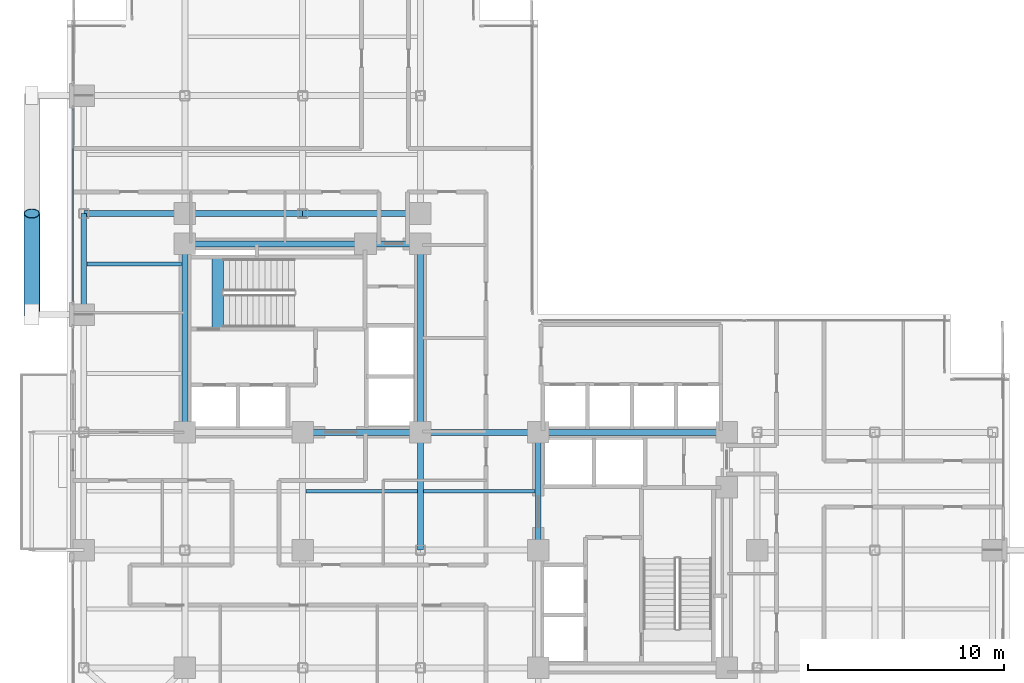
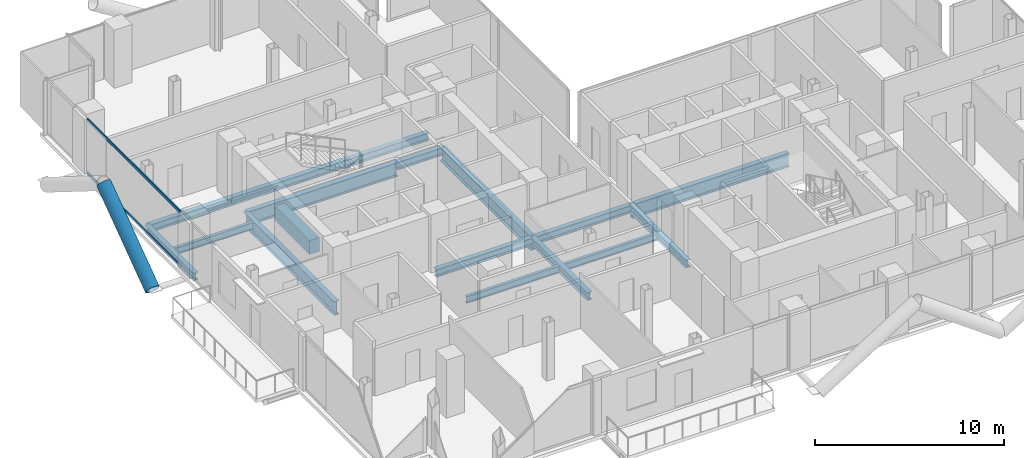
# One storey, part 7 of 24: 17 beams, 3 members, 1 element without a shape of its own.
"""IFC4 building model written with IfcOpenShell, lengths in metres."""

from ifc_helpers import new_model, si_unit, direction, frame, origin, origin_2d, place, context, subcontext, project, spatial, rectangle, hollow_rectangle, hollow_circle, i_section, extrude, material, layer, layer_set, material_profile, profile_set, type_object, element, aggregate, save


model = new_model("IFC4")

# Units and contexts
model_context = context("Model", 3, precision=1e-05, world=origin(), true_north=direction((0.0, 1.0)))
body_context = subcontext(model_context, "Body", "Model", "MODEL_VIEW")
ifc_project = project(units=[si_unit("LENGTHUNIT", "METRE"), si_unit("AREAUNIT", "SQUARE_METRE"), si_unit("VOLUMEUNIT", "CUBIC_METRE"), si_unit("PLANEANGLEUNIT", "RADIAN"), si_unit("MASSUNIT", "GRAM", prefix="KILO"), si_unit("THERMODYNAMICTEMPERATUREUNIT", "KELVIN"), si_unit("POWERUNIT", "WATT")], contexts=[model_context])

# Site, building, storey
site_placement = place(None, origin())
site = spatial("IfcSite", under=ifc_project, at=site_placement, CompositionType="ELEMENT")
building_placement = place(site_placement, origin())
building = spatial("IfcBuilding", under=site, at=building_placement, Name="Svarakhadi Broadcast Tower", CompositionType="ELEMENT")
storey_placement = place(building_placement, frame((0.0, 0.0, 145.64990234375)))
storey = spatial("IfcBuildingStorey", under=building, at=storey_placement, Name="L35", CompositionType="ELEMENT", Elevation=145.64990234375)

# Beams
ifc_material_1 = material(Name="Steel S355J2 (IS 2062 E350C)", Category="steel")
ifc_material_profile_1 = material_profile(ifc_material_1, i_section(OverallWidth=0.18994140625, OverallDepth=0.449951171875, WebThickness=0.009521484375, FlangeThickness=0.0146484375, FilletRadius=0.02099609375, at=origin_2d()), Name="NPB 450x190x78")
ifc_profile_set_1 = profile_set([ifc_material_profile_1], Name="Steel S355J2 (IS 2062 E350C)")
beam_type_1 = type_object("IfcBeamType", Name="Beam_NPB450", PredefinedType="BEAM", material=ifc_profile_set_1)
beam_1_placement = place(storey_placement, frame((1.010009765625, 26.574951171875, -0.449951171875), z_axis=(1.0, 0.0, 0.0), x_axis=(0.0, 1.0, 0.0)))
element("IfcBeam", 1, at=beam_1_placement, inside=storey, type_object=beam_type_1, Name="L35 Secondary Composite Beam SB004", PredefinedType="BEAM", context=body_context, shape_type="SweptSolid", body=[
    extrude(i_section(OverallWidth=0.18994140625, OverallDepth=0.449951171875, WebThickness=0.009521484375, FlangeThickness=0.0146484375, FilletRadius=0.02099609375, at=origin_2d()), origin(), (0.0, 0.0, 1.0), 4.830078125),
])
for number, where, z_axis, x_axis, name in (
    (2, (12.159912109375, 15.0, -0.449951171875), (1.0, 0.0, 0.0), (0.0, 1.0, 0.0), "L35 Secondary Composite Beam SB013"),
    (3, (18.159912109375, 15.0, -0.449951171875), (1.0, 0.0, 0.0), (0.0, 1.0, 0.0), "L35 Secondary Composite Beam SB018"),
):
    element("IfcBeam", number, at=place(storey_placement, frame(where, z_axis=z_axis, x_axis=x_axis)), inside=storey, type_object=beam_type_1, Name=name, PredefinedType="BEAM", context=body_context, shape_type="SweptSolid", body=[
        extrude(i_section(OverallWidth=0.18994140625, OverallDepth=0.449951171875, WebThickness=0.009521484375, FlangeThickness=0.0146484375, FilletRadius=0.02099609375, at=origin_2d()), origin(), (0.0, 0.0, 1.0), 5.68017578125),
    ])

# Curtain wall, members
ifc_material_2 = material(Name="Anodised Bronze Aluminium AA 6063-T6", Category="aluminium")
ifc_layer = layer(ifc_material_2, 0.199951171875)
ifc_layer_set = layer_set([ifc_layer], Name="Anodised Bronze Aluminium AA 6063-T6")
curtain_wall_type = type_object("IfcCurtainWallType", Name="CW_Sys_03", PredefinedType="NOTDEFINED", material=ifc_layer_set)
curtain_wall_placement = place(storey_placement, origin())
curtain_wall = element("IfcCurtainWall", 4, at=curtain_wall_placement, inside=storey, type_object=curtain_wall_type, Name="L35 West Curtain Wall 03 Bay 2", PredefinedType="NOTDEFINED")
ifc_material_profile_2 = material_profile(ifc_material_2, hollow_rectangle(XDim=0.070068359375, YDim=0.18505859375, WallThickness=0.0048828125, at=origin_2d()), Name="ALU TRANSOM 185x70x5")
ifc_profile_set_2 = profile_set([ifc_material_profile_2], Name="Anodised Bronze Aluminium AA 6063-T6")
member_type_1 = type_object("IfcMemberType", Name="CW_Sys_03_Trn", PredefinedType="USERDEFINED", material=ifc_profile_set_2)
member_1_placement = place(storey_placement, frame((0.300048828125, 24.64501953125, 0.03515625), z_axis=(0.0, 1.0, 0.0), x_axis=(-1.0, 0.0, 0.0)))
member_1 = element("IfcMember", 5, at=member_1_placement, type_object=member_type_1, Name="CW-03 transom 1.1", ObjectType="TRANSOM", PredefinedType="USERDEFINED", context=body_context, shape_type="SweptSolid", body=[
    extrude(hollow_rectangle(XDim=0.070068359375, YDim=0.18505859375, WallThickness=0.0048828125, at=origin_2d()), origin(), (0.0, 0.0, 1.0), 9.85986328125),
])
member_2_placement = place(storey_placement, frame((0.300048828125, 24.64501953125, 3.489990234375), z_axis=(0.0, 1.0, 0.0), x_axis=(-1.0, 0.0, 0.0)))
member_2 = element("IfcMember", 6, at=member_2_placement, type_object=member_type_1, Name="CW-03 transom 1.2", ObjectType="TRANSOM", PredefinedType="USERDEFINED", context=body_context, shape_type="SweptSolid", body=[
    extrude(hollow_rectangle(XDim=0.070068359375, YDim=0.18505859375, WallThickness=0.0048828125, at=origin_2d()), origin(), (0.0, 0.0, 1.0), 9.85986328125),
])
aggregate(curtain_wall, [member_1, member_2])

# Beam
ifc_material_3 = material(Name="Concrete C50/60 (IS 456 M60)", Category="concrete")
ifc_material_profile_3 = material_profile(ifc_material_3, rectangle(XDim=0.60009765625, YDim=0.89990234375, at=origin_2d()), Name="RC 600x900")
ifc_profile_set_3 = profile_set([ifc_material_profile_3], Name="Concrete C50/60 (IS 456 M60)")
beam_type_2 = type_object("IfcBeamType", Name="Coupling_RC600", PredefinedType="USERDEFINED", material=ifc_profile_set_3)
beam_2_placement = place(storey_placement, frame((7.679931640625, 23.260009765625, -0.449951171875), z_axis=(0.0, 1.0, 0.0), x_axis=(-1.0, 0.0, 0.0)))
element("IfcBeam", 7, at=beam_2_placement, inside=storey, type_object=beam_type_2, Name="L35 Stair ST-01 Landing Throat Trimmer Beam CB-01", ObjectType="GIRDER", PredefinedType="USERDEFINED", context=body_context, shape_type="SweptSolid", body=[
    extrude(rectangle(XDim=0.60009765625, YDim=0.89990234375, at=origin_2d()), origin(), (0.0, 0.0, 1.0), 3.679931640625),
])

# Member
ifc_material_4 = material(Name="Steel S460ML (IS 2062 E450BR)", Category="steel")
ifc_material_profile_4 = material_profile(ifc_material_4, hollow_circle(Radius=0.406494140625, WallThickness=0.0400390625, at=origin_2d()), Name="CHS 813x40")
ifc_profile_set_4 = profile_set([ifc_material_profile_4], Name="Steel S460ML (IS 2062 E450BR)")
member_type_2 = type_object("IfcMemberType", Name="Exo_Brace_CHS813", PredefinedType="BRACE", material=ifc_profile_set_4)
member_3_placement = place(storey_placement, frame((-1.800048828125, 24.0, -0.386962890625), z_axis=(0.0, 0.808391243061, 0.588645562407), x_axis=(-1.0, 0.0, 0.0)))
element("IfcMember", 8, at=member_3_placement, inside=storey, type_object=member_type_2, Name="L35 Exposed Bronze Exoskeleton Diagonal W04", PredefinedType="BRACE", context=body_context, shape_type="SweptSolid", body=[
    extrude(hollow_circle(Radius=0.406494140625, WallThickness=0.0400390625, at=origin_2d()), origin(), (0.0, 0.0, 1.0), 6.37060546875),
])

# Beams
ifc_material_profile_5 = material_profile(ifc_material_1, i_section(OverallWidth=0.300048828125, OverallDepth=0.5, WebThickness=0.014404296875, FlangeThickness=0.028076171875, FilletRadius=0.027099609375, at=origin_2d()), Name="WPB 500x300x187")
ifc_profile_set_5 = profile_set([ifc_material_profile_5], Name="Steel S355J2 (IS 2062 E350C)")
beam_type_3 = type_object("IfcBeamType", Name="Girder_WPB500", PredefinedType="USERDEFINED", material=ifc_profile_set_5)
for number, where, z_axis, x_axis, name in (
    (9, (12.0, 18.0, -0.474853515625), (1.0, 0.0, 0.0), (0.0, 1.0, 0.0), "L35 Primary E-W Girder G025"),
    (10, (18.0, 18.0, -0.474853515625), (1.0, 0.0, 0.0), (0.0, 1.0, 0.0), "L35 Primary E-W Girder G026"),
):
    element("IfcBeam", number, at=place(storey_placement, frame(where, z_axis=z_axis, x_axis=x_axis)), inside=storey, type_object=beam_type_3, Name=name, ObjectType="GIRDER", PredefinedType="USERDEFINED", context=body_context, shape_type="SweptSolid", body=[
        extrude(i_section(OverallWidth=0.300048828125, OverallDepth=0.5, WebThickness=0.014404296875, FlangeThickness=0.028076171875, FilletRadius=0.027099609375, at=origin_2d()), origin(), (0.0, 0.0, 1.0), 6.0),
    ])
beam_3_placement = place(storey_placement, frame((15.199951171875, 27.60009765625, -0.474853515625), z_axis=(1.0, 0.0, 0.0), x_axis=(0.0, 1.0, 0.0)))
element("IfcBeam", 11, at=beam_3_placement, inside=storey, type_object=beam_type_3, Name="L35 Primary E-W Girder G031", ObjectType="GIRDER", PredefinedType="USERDEFINED", context=body_context, shape_type="SweptSolid", body=[
    extrude(i_section(OverallWidth=0.300048828125, OverallDepth=0.5, WebThickness=0.014404296875, FlangeThickness=0.028076171875, FilletRadius=0.027099609375, at=origin_2d()), origin(), (0.0, 0.0, 1.0), 2.800048828125),
])
beam_4_placement = place(storey_placement, frame((0.85009765625, 29.14990234375, -0.474853515625), z_axis=(1.0, 0.0, 0.0), x_axis=(0.0, 1.0, 0.0)))
element("IfcBeam", 12, at=beam_4_placement, inside=storey, type_object=beam_type_3, Name="L35 Primary E-W Girder G032", ObjectType="GIRDER", PredefinedType="USERDEFINED", context=body_context, shape_type="SweptSolid", body=[
    extrude(i_section(OverallWidth=0.300048828125, OverallDepth=0.5, WebThickness=0.014404296875, FlangeThickness=0.028076171875, FilletRadius=0.027099609375, at=origin_2d()), origin(), (0.0, 0.0, 1.0), 5.14990234375),
])
for number, where, z_axis, x_axis, name in (
    (13, (6.0, 29.14990234375, -0.474853515625), (1.0, 0.0, 0.0), (0.0, 1.0, 0.0), "L35 Primary E-W Girder G033"),
    (14, (12.0, 29.14990234375, -0.474853515625), (1.0, 0.0, 0.0), (0.0, 1.0, 0.0), "L35 Primary E-W Girder G034"),
):
    element("IfcBeam", number, at=place(storey_placement, frame(where, z_axis=z_axis, x_axis=x_axis)), inside=storey, type_object=beam_type_3, Name=name, ObjectType="GIRDER", PredefinedType="USERDEFINED", context=body_context, shape_type="SweptSolid", body=[
        extrude(i_section(OverallWidth=0.300048828125, OverallDepth=0.5, WebThickness=0.014404296875, FlangeThickness=0.028076171875, FilletRadius=0.027099609375, at=origin_2d()), origin(), (0.0, 0.0, 1.0), 6.0),
    ])
beam_5_placement = place(storey_placement, frame((0.85009765625, 24.0, -0.474853515625), z_axis=(0.0, 1.0, 0.0), x_axis=(-1.0, 0.0, 0.0)))
element("IfcBeam", 15, at=beam_5_placement, inside=storey, type_object=beam_type_3, Name="L35 Primary N-S Girder G043", ObjectType="GIRDER", PredefinedType="USERDEFINED", context=body_context, shape_type="SweptSolid", body=[
    extrude(i_section(OverallWidth=0.300048828125, OverallDepth=0.5, WebThickness=0.014404296875, FlangeThickness=0.028076171875, FilletRadius=0.027099609375, at=origin_2d()), origin(), (0.0, 0.0, 1.0), 5.14990234375),
])
for number, where, z_axis, x_axis, name in (
    (16, (18.0, 12.0, -0.474853515625), (0.0, 1.0, 0.0), (-1.0, 0.0, 0.0), "L35 Primary N-S Girder G058"),
    (17, (24.0, 12.0, -0.474853515625), (0.0, 1.0, 0.0), (-1.0, 0.0, 0.0), "L35 Primary N-S Girder G064"),
):
    element("IfcBeam", number, at=place(storey_placement, frame(where, z_axis=z_axis, x_axis=x_axis)), inside=storey, type_object=beam_type_3, Name=name, ObjectType="GIRDER", PredefinedType="USERDEFINED", context=body_context, shape_type="SweptSolid", body=[
        extrude(i_section(OverallWidth=0.300048828125, OverallDepth=0.5, WebThickness=0.014404296875, FlangeThickness=0.028076171875, FilletRadius=0.027099609375, at=origin_2d()), origin(), (0.0, 0.0, 1.0), 6.0),
    ])
ifc_material_profile_6 = material_profile(ifc_material_4, i_section(OverallWidth=0.300048828125, OverallDepth=0.89990234375, WebThickness=0.0185546875, FlangeThickness=0.034912109375, FilletRadius=0.030029296875, at=origin_2d()), Name="WPB 900x300x291")
ifc_profile_set_6 = profile_set([ifc_material_profile_6], Name="Steel S460ML (IS 2062 E450BR)")
beam_type_4 = type_object("IfcBeamType", Name="Girder_WPB900", PredefinedType="USERDEFINED", material=ifc_profile_set_6)
beam_6_placement = place(storey_placement, frame((24.0, 18.0, -0.6748046875), z_axis=(1.0, 0.0, 0.0), x_axis=(0.0, 1.0, 0.0)))
element("IfcBeam", 18, at=beam_6_placement, inside=storey, type_object=beam_type_4, Name="L35 Primary E-W Girder G027", ObjectType="GIRDER", PredefinedType="USERDEFINED", context=body_context, shape_type="SweptSolid", body=[
    extrude(i_section(OverallWidth=0.300048828125, OverallDepth=0.89990234375, WebThickness=0.0185546875, FlangeThickness=0.034912109375, FilletRadius=0.030029296875, at=origin_2d()), origin(), (0.0, 0.0, 1.0), 9.60009765625),
])
beam_7_placement = place(storey_placement, frame((6.0, 27.60009765625, -0.6748046875), z_axis=(1.0, 0.0, 0.0), x_axis=(0.0, 1.0, 0.0)))
element("IfcBeam", 19, at=beam_7_placement, inside=storey, type_object=beam_type_4, Name="L35 Primary E-W Girder G030", ObjectType="GIRDER", PredefinedType="USERDEFINED", context=body_context, shape_type="SweptSolid", body=[
    extrude(i_section(OverallWidth=0.300048828125, OverallDepth=0.89990234375, WebThickness=0.0185546875, FlangeThickness=0.034912109375, FilletRadius=0.030029296875, at=origin_2d()), origin(), (0.0, 0.0, 1.0), 9.199951171875),
])
for number, where, z_axis, x_axis, name in (
    (20, (6.0, 18.0, -0.6748046875), (0.0, 1.0, 0.0), (-1.0, 0.0, 0.0), "L35 Primary N-S Girder G048"),
    (21, (18.0, 18.0, -0.6748046875), (0.0, 1.0, 0.0), (-1.0, 0.0, 0.0), "L35 Primary N-S Girder G059"),
):
    element("IfcBeam", number, at=place(storey_placement, frame(where, z_axis=z_axis, x_axis=x_axis)), inside=storey, type_object=beam_type_4, Name=name, ObjectType="GIRDER", PredefinedType="USERDEFINED", context=body_context, shape_type="SweptSolid", body=[
        extrude(i_section(OverallWidth=0.300048828125, OverallDepth=0.89990234375, WebThickness=0.0185546875, FlangeThickness=0.034912109375, FilletRadius=0.030029296875, at=origin_2d()), origin(), (0.0, 0.0, 1.0), 9.60009765625),
    ])

save(model, "model.ifc")
